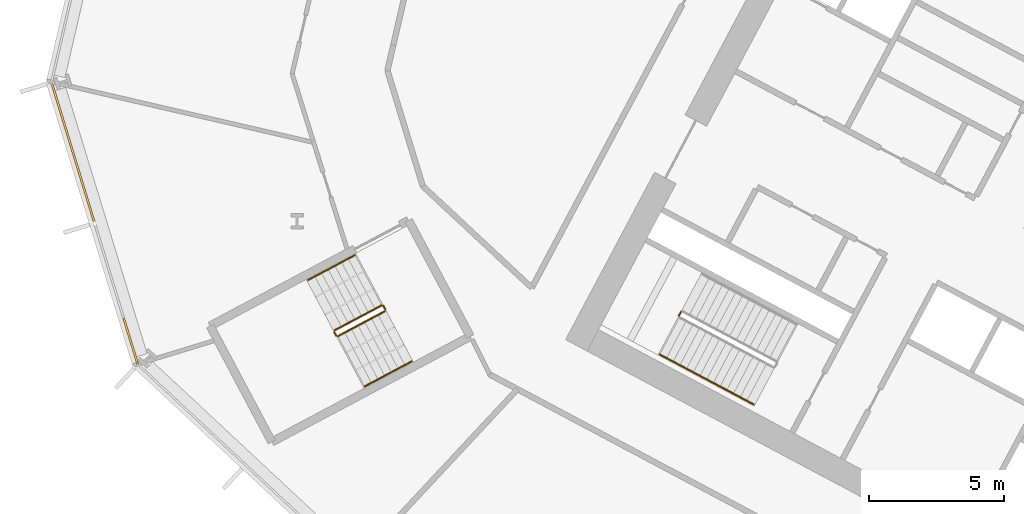
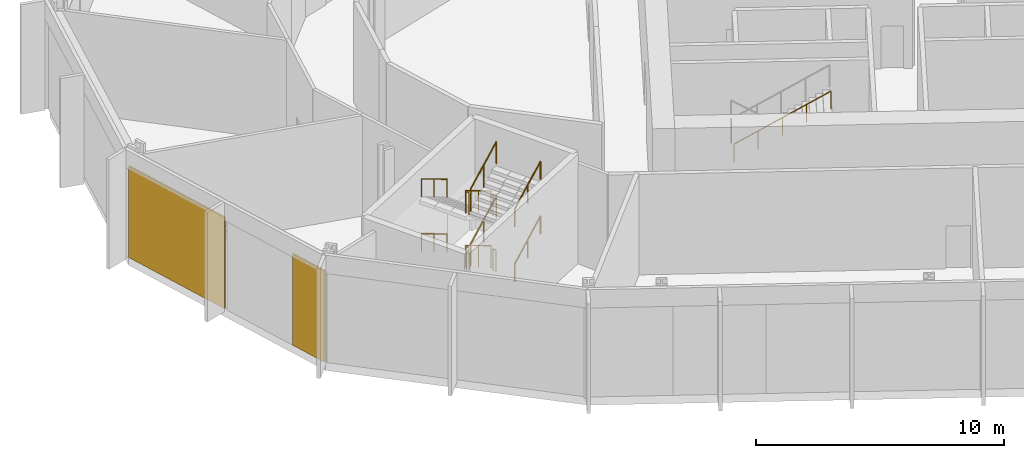
# One storey, part 21 of 30: 14 railings, 2 coverings, 1 element without a shape of its own.
"""IFC4 building model written with IfcOpenShell, lengths in metres."""

import ifcopenshell
import ifcopenshell.guid

model = None  # the IFC model being written
_history = None  # IfcOwnerHistory: only IFC2X3 demands one
_inside = {}  # id of a spatial element -> (the spatial element, [elements in it])
_under = {}  # id of a project, library or spatial element -> (it, [spatial elements below it])
_declared = {}  # id of a project -> (the project, [libraries it declares])
_typed = {}  # id of a type object -> (the type object, [elements of that type])
_made_of = {}  # id of a material, layer set ... -> (it, [elements and type objects made of it])


def new_model(schema):
    """Start an empty IFC model of exactly this schema.

    Asked for "IFC4X3", IfcOpenShell would pick the latest addendum, in which some entities
    have other attributes; the version numbers below select the first issue.
    IFC2X3 requires an IfcOwnerHistory on every rooted entity: one is made here for all.
    """
    global model, _history
    if schema == "IFC4X3":
        model = ifcopenshell.file(schema_version=(4, 3, 0, 0))
    else:
        model = ifcopenshell.file(schema=schema)
    _inside.clear()
    _under.clear()
    _declared.clear()
    _typed.clear()
    _made_of.clear()
    _history = None
    if model.schema == "IFC2X3":
        org = make("IfcOrganization", Name="unknown")
        user = make(
            "IfcPersonAndOrganization",
            ThePerson=make("IfcPerson", FamilyName="unknown"),
            TheOrganization=org,
        )
        app = make(
            "IfcApplication",
            ApplicationDeveloper=org,
            Version="unknown",
            ApplicationFullName="unknown",
            ApplicationIdentifier="unknown",
        )
        _history = make(
            "IfcOwnerHistory",
            OwningUser=user,
            OwningApplication=app,
            ChangeAction="ADDED",
            CreationDate=0,
        )
    return model


def make(cls, **values):
    """One entity of the class cls with the attributes given. An attribute that is None is left unset."""
    return model.create_entity(
        cls, **{name: value for name, value in values.items() if value is not None}
    )


def rooted(cls, **values):
    """An entity with a GlobalId (a new one), such as an element, a storey or a relation."""
    return make(cls, GlobalId=ifcopenshell.guid.new(), OwnerHistory=_history, **values)


def si_unit(unit_type, name, prefix=None):
    """IfcSIUnit, for example si_unit("LENGTHUNIT", "METRE", prefix="MILLI")."""
    return make("IfcSIUnit", UnitType=unit_type, Prefix=prefix, Name=name)


def assignment(units):
    """IfcUnitAssignment: the units of a project."""
    return None if units is None else make("IfcUnitAssignment", Units=units)


def point(xyz):
    """IfcCartesianPoint."""
    return None if xyz is None else make("IfcCartesianPoint", Coordinates=xyz)


def direction(xyz):
    """IfcDirection."""
    return None if xyz is None else make("IfcDirection", DirectionRatios=xyz)


def frame(location, z_axis=None, x_axis=None):
    """IfcAxis2Placement3D, a coordinate frame: its origin and axes. An axis left out is left unset."""
    return make(
        "IfcAxis2Placement3D",
        Location=point(location),
        Axis=direction(z_axis),
        RefDirection=direction(x_axis),
    )


def frame_2d(location, x_axis=None):
    """IfcAxis2Placement2D, a coordinate frame in the plane: its origin and x axis."""
    return make(
        "IfcAxis2Placement2D", Location=point(location), RefDirection=direction(x_axis)
    )


def origin():
    """The frame at (0, 0, 0) with its axes left unset."""
    return frame((0.0, 0.0, 0.0))


def origin_2d():
    """The frame at (0, 0) in the plane with its x axis left unset."""
    return frame_2d((0.0, 0.0))


def place(relative_to, where):
    """IfcLocalPlacement: puts the frame where relative to a parent placement (None: the world)."""
    return make(
        "IfcLocalPlacement", PlacementRelTo=relative_to, RelativePlacement=where
    )


def context(
    kind, dimensions, precision=None, world=None, true_north=None, identifier=None
):
    """IfcGeometricRepresentationContext, for example the 3D "Model" context."""
    return make(
        "IfcGeometricRepresentationContext",
        ContextIdentifier=identifier,
        ContextType=kind,
        CoordinateSpaceDimension=dimensions,
        Precision=precision,
        WorldCoordinateSystem=world,
        TrueNorth=true_north,
    )


def subcontext(parent, identifier, kind, view, scale=None):
    """IfcGeometricRepresentationSubContext, for example "Body" below "Model"."""
    return make(
        "IfcGeometricRepresentationSubContext",
        ContextIdentifier=identifier,
        ContextType=kind,
        ParentContext=parent,
        TargetScale=scale,
        TargetView=view,
    )


def project(units=None, contexts=None):
    """IfcProject with its units and contexts."""
    return rooted(
        "IfcProject",
        Name="project",
        RepresentationContexts=contexts,
        UnitsInContext=assignment(units),
    )


def spatial(cls, under=None, at=None, **own):
    """A site, building, storey or space (cls), placed at a placement, below another one or the project."""
    s = rooted(cls, ObjectPlacement=at, **own)
    if under is not None:
        _under.setdefault(under.id(), (under, []))[1].append(s)
    return s


def polyline(points):
    """IfcPolyline through the points."""
    return make("IfcPolyline", Points=[point(p) for p in points])


def profile(cls, at=None, kind="AREA", **sizes):
    """A parametric profile (cls). Its sizes go by their IFC names, for example OverallWidth=200.0."""
    return make(cls, ProfileType=kind, Position=at, **sizes)


def rectangle(**sizes):
    """IfcRectangleProfileDef."""
    return profile("IfcRectangleProfileDef", **sizes)


def outline(outer, holes=None, kind="AREA"):
    """IfcArbitraryClosedProfileDef: a profile drawn as a closed curve; with holes, ...WithVoids."""
    if holes is None:
        return make("IfcArbitraryClosedProfileDef", ProfileType=kind, OuterCurve=outer)
    return make(
        "IfcArbitraryProfileDefWithVoids",
        ProfileType=kind,
        OuterCurve=outer,
        InnerCurves=holes,
    )


def extrude(swept, where, along, depth):
    """IfcExtrudedAreaSolid: the profile swept, set in the frame where, extruded along a direction by depth."""
    return make(
        "IfcExtrudedAreaSolid",
        SweptArea=swept,
        Position=where,
        ExtrudedDirection=direction(along),
        Depth=depth,
    )


def shape(context_of_items, identifier, shape_type, items):
    """IfcShapeRepresentation: the items that make up one representation, for example the "Body"."""
    return make(
        "IfcShapeRepresentation",
        ContextOfItems=context_of_items,
        RepresentationIdentifier=identifier,
        RepresentationType=shape_type,
        Items=items,
    )


def material(Name=None, Category=None):
    """IfcMaterial."""
    return make("IfcMaterial", Name=Name, Category=Category)


def layer(
    of_material, thickness, ventilated=None, Name=None, Category=None, Priority=None
):
    """IfcMaterialLayer: one layer of a wall or slab, of a material (None: an air gap)."""
    return make(
        "IfcMaterialLayer",
        Material=of_material,
        LayerThickness=thickness,
        IsVentilated=ventilated,
        Name=Name,
        Category=Category,
        Priority=Priority,
    )


def layer_set(layers, Name=None):
    """IfcMaterialLayerSet."""
    return make("IfcMaterialLayerSet", MaterialLayers=layers, LayerSetName=Name)


def made_of(thing, what):
    """Note that an element or type object is made of a material, layer set ...; save() writes the relation."""
    if what is not None:
        _made_of.setdefault(what.id(), (what, []))[1].append(thing)
    return thing


def type_object(cls, material=None, **own):
    """A type object (cls), such as IfcWallType, which elements share."""
    return made_of(rooted(cls, **own), material)


def element(
    cls,
    number,
    at=None,
    inside=None,
    cuts=None,
    type_object=None,
    material=None,
    context=None,
    identifier="Body",
    shape_type=None,
    held_by="IfcProductDefinitionShape",
    body=None,
    shapes=None,
    **own,
):
    """One element of the class cls, such as IfcWall. Its Tag is "e" and its number.

    at: its placement. inside: the storey or other place that contains it. cuts: it is an
    opening in that element (IfcRelVoidsElement). A single representation is given by context,
    identifier, shape_type and body (its items); several are given by shapes. held_by: the class
    of the entity that holds the representations. save() writes the other relations.
    """
    e = rooted(cls, Tag="e%d" % number, ObjectPlacement=at, **own)
    if body is not None:
        shapes = [shape(context, identifier, shape_type, body)]
    if shapes is not None:
        e.Representation = make(held_by, Representations=shapes)
    if inside is not None:
        _inside.setdefault(inside.id(), (inside, []))[1].append(e)
    if cuts is not None:
        rooted(
            "IfcRelVoidsElement", RelatingBuildingElement=cuts, RelatedOpeningElement=e
        )
    if type_object is not None:
        _typed.setdefault(type_object.id(), (type_object, []))[1].append(e)
    return made_of(e, material)


def aggregate(whole, parts):
    """IfcRelAggregates: a whole, such as a stair, and the parts it consists of."""
    return rooted("IfcRelAggregates", RelatingObject=whole, RelatedObjects=parts)


def save(model, path):
    """Write the relations noted so far, then the file.

    IfcRelAggregates (storeys below a building ...), IfcRelContainedInSpatialStructure (elements
    in a storey), IfcRelDefinesByType, IfcRelAssociatesMaterial and IfcRelDeclares: one each for
    every whole, place, type object, material and project.
    """
    for whole, parts in _under.values():
        aggregate(whole, parts)
    for where, things in _inside.values():
        rooted(
            "IfcRelContainedInSpatialStructure",
            RelatedElements=things,
            RelatingStructure=where,
        )
    for kind, things in _typed.values():
        rooted("IfcRelDefinesByType", RelatedObjects=things, RelatingType=kind)
    for what, things in _made_of.values():
        rooted("IfcRelAssociatesMaterial", RelatedObjects=things, RelatingMaterial=what)
    for by, libraries in _declared.values():
        rooted("IfcRelDeclares", RelatingContext=by, RelatedDefinitions=libraries)
    model.write(path)


model = new_model("IFC4")

# Units and contexts
model_context = context("Model", 3, precision=1e-05, world=origin(), true_north=direction((0.0, 1.0)))
body_context = subcontext(model_context, "Body", "Model", "MODEL_VIEW")
ifc_project = project(units=[si_unit("LENGTHUNIT", "METRE"), si_unit("AREAUNIT", "SQUARE_METRE"), si_unit("VOLUMEUNIT", "CUBIC_METRE"), si_unit("PLANEANGLEUNIT", "RADIAN"), si_unit("MASSUNIT", "GRAM", prefix="KILO")], contexts=[model_context])

# Site, building, storey
site_placement = place(None, origin())
site = spatial("IfcSite", under=ifc_project, at=site_placement, CompositionType="ELEMENT")
building_placement = place(site_placement, origin())
building = spatial("IfcBuilding", under=site, at=building_placement, Name="Cormorant Relay Tower", CompositionType="ELEMENT")
storey_placement = place(building_placement, frame((0.0, 0.0, 44.60009765625)))
storey = spatial("IfcBuildingStorey", under=building, at=storey_placement, Name="L08", CompositionType="ELEMENT", Elevation=44.60009765625)

# Curtain wall, coverings
ifc_material_1 = material(Name="Aluminium 6063-T6 anodised bronze", Category="aluminium")
ifc_layer_1 = layer(ifc_material_1, 0.235107421875)
ifc_layer_set_1 = layer_set([ifc_layer_1], Name="CW6 data hall curtain wall with mineral wool panels")
curtain_wall_type = type_object("IfcCurtainWallType", Name="CW6 data hall curtain wall with mineral wool panels", PredefinedType="NOTDEFINED", material=ifc_layer_set_1)
curtain_wall_placement = place(storey_placement, origin())
curtain_wall = element("IfcCurtainWall", 1, at=curtain_wall_placement, inside=storey, type_object=curtain_wall_type, Name="CW6 curtain wall 12", PredefinedType="NOTDEFINED")
ifc_material_2 = material(Name="Mineral wool cored anodised bronze aluminium cassette panel", Category="aluminium")
ifc_layer_2 = layer(ifc_material_2, 0.074951171875)
ifc_layer_set_2 = layer_set([ifc_layer_2], Name="CW6 mineral wool cassette panel 75")
covering_type = type_object("IfcCoveringType", Name="CW6 mineral wool cassette panel 75", PredefinedType="CLADDING", material=ifc_layer_set_2)
covering_1_placement = place(storey_placement, frame((-59.961181640625, 17.783447265625, 0.0), z_axis=(0.0, 0.0, 1.0), x_axis=(0.292371704723, -0.956304755963, 0.0)))
covering_1 = element("IfcCovering", 2, at=covering_1_placement, type_object=covering_type, Name="CW6 panel S00", PredefinedType="CLADDING", context=body_context, shape_type="SweptSolid", body=[
    extrude(rectangle(XDim=5.28515625, YDim=0.074951171875, at=origin_2d()), origin(), (0.0, 0.0, 1.0), 4.5),
])
covering_2_placement = place(storey_placement, frame((-57.834716796875, 10.82861328125, 0.0), z_axis=(0.0, 0.0, 1.0), x_axis=(0.292371704723, -0.956304755963, 0.0)))
covering_2 = element("IfcCovering", 3, at=covering_2_placement, type_object=covering_type, Name="CW6 panel S02", PredefinedType="CLADDING", context=body_context, shape_type="SweptSolid", body=[
    extrude(rectangle(XDim=1.76025390625, YDim=0.074951171875, at=origin_2d()), origin(), (0.0, 0.0, 1.0), 4.5),
])
aggregate(curtain_wall, [covering_1, covering_2])

# Railings
ifc_material_3 = material(Name="Steel ASTM A572 Grade 50 (Fy 345 MPa)", Category="steel")
railing_type_1 = type_object("IfcRailingType", Name="Stair guard 1100", PredefinedType="GUARDRAIL", material=ifc_material_3)
railing_1_placement = place(storey_placement, frame((-37.52099609375, 11.908935546875, 2.699951171875)))
element("IfcRailing", 4, at=railing_1_placement, inside=storey, type_object=railing_type_1, Name="L08 A2 stair guard 2", PredefinedType="GUARDRAIL", context=body_context, shape_type="SweptSolid", body=[
    extrude(outline(polyline([(0.022216796875, 0.00927734375), (0.00927734375, 0.022216796875), (-0.00927734375, 0.022216796875), (-0.022216796875, 0.00927734375), (-0.022216796875, -0.00927734375), (-0.00927734375, -0.022216796875), (0.00927734375, -0.022216796875), (0.022216796875, -0.00927734375), (0.022216796875, 0.00927734375)])), frame((0.0, 0.0, 1.076171875), z_axis=(-0.469234640946, -0.883073525669, 0.0), x_axis=(0.883073525669, -0.469234640946, 0.0)), (0.0, 0.0, 1.0), 0.14990234375),
    extrude(outline(polyline([(0.019287109375, 0.008056640625), (0.008056640625, 0.019287109375), (-0.008056640625, 0.019287109375), (-0.019287109375, 0.008056640625), (-0.019287109375, -0.008056640625), (-0.008056640625, -0.019287109375), (0.008056640625, -0.019287109375), (0.019287109375, -0.008056640625), (0.019287109375, 0.008056640625)])), origin(), (0.0, 0.0, 1.0), 1.052001953125),
    extrude(outline(polyline([(0.019287109375, 0.008056640625), (0.008056640625, 0.019287109375), (-0.008056640625, 0.019287109375), (-0.019287109375, 0.008056640625), (-0.019287109375, -0.008056640625), (-0.008056640625, -0.019287109375), (0.008056640625, -0.019287109375), (0.019287109375, -0.008056640625), (0.019287109375, 0.008056640625)])), frame((-0.0703125, -0.13232421875, 0.0)), (0.0, 0.0, 1.0), 1.052001953125),
])
railing_2_placement = place(storey_placement, frame((-48.5693359375, 12.155517578125, 0.168701171875)))
element("IfcRailing", 5, at=railing_2_placement, inside=storey, type_object=railing_type_1, Name="L08 RP1 stair guard 1", PredefinedType="GUARDRAIL", context=body_context, shape_type="SweptSolid", body=[
    extrude(outline(polyline([(0.022216796875, 0.00927734375), (0.00927734375, 0.022216796875), (-0.00927734375, 0.022216796875), (-0.022216796875, 0.00927734375), (-0.022216796875, -0.00927734375), (-0.00927734375, -0.022216796875), (0.00927734375, -0.022216796875), (0.022216796875, -0.00927734375), (0.022216796875, 0.00927734375)])), frame((0.0, 0.0, 1.076171875), z_axis=(-0.756267991755, -0.402084082512, 0.516127034012), x_axis=(0.469443581604, -0.882962470149, 0.0)), (0.0, 0.0, 1.0), 2.28857421875),
    extrude(outline(polyline([(0.019287109375, 0.008056640625), (0.008056640625, 0.019287109375), (-0.008056640625, 0.019287109375), (-0.019287109375, 0.008056640625), (-0.019287109375, -0.008056640625), (-0.008056640625, -0.019287109375), (0.008056640625, -0.019287109375), (0.019287109375, -0.008056640625), (0.019287109375, 0.008056640625)])), origin(), (0.0, 0.0, 1.0), 1.052001953125),
    extrude(outline(polyline([(0.019287109375, 0.008056640625), (0.008056640625, 0.019287109375), (-0.008056640625, 0.019287109375), (-0.019287109375, 0.008056640625), (-0.019287109375, -0.008056640625), (-0.008056640625, -0.019287109375), (0.008056640625, -0.019287109375), (0.019287109375, -0.008056640625), (0.019287109375, 0.008056640625)])), frame((-0.865234375, -0.4599609375, 0.590576171875)), (0.0, 0.0, 1.0), 1.052001953125),
    extrude(outline(polyline([(0.019287109375, 0.008056640625), (0.008056640625, 0.019287109375), (-0.008056640625, 0.019287109375), (-0.019287109375, 0.008056640625), (-0.019287109375, -0.008056640625), (-0.008056640625, -0.019287109375), (0.008056640625, -0.019287109375), (0.019287109375, -0.008056640625), (0.019287109375, 0.008056640625)])), frame((-1.730712890625, -0.920166015625, 1.18115234375)), (0.0, 0.0, 1.0), 1.052001953125),
])
railing_3_placement = place(storey_placement, frame((-50.320556640625, 11.167724609375, 1.349853515625)))
element("IfcRailing", 6, at=railing_3_placement, inside=storey, type_object=railing_type_1, Name="L08 RP1 stair guard 2", PredefinedType="GUARDRAIL", context=body_context, shape_type="SweptSolid", body=[
    extrude(outline(polyline([(0.022216796875, 0.00927734375), (0.00927734375, 0.022216796875), (-0.00927734375, 0.022216796875), (-0.022216796875, 0.00927734375), (-0.022216796875, -0.00927734375), (-0.00927734375, -0.022216796875), (0.00927734375, -0.022216796875), (0.022216796875, -0.00927734375), (0.022216796875, 0.00927734375)])), frame((0.0, 0.0, 1.076171875), z_axis=(0.46856034887, -0.8834314911, 0.0), x_axis=(0.8834314911, 0.46856034887, 0.0)), (0.0, 0.0, 1.0), 0.150146484375),
    extrude(outline(polyline([(0.019287109375, 0.008056640625), (0.008056640625, 0.019287109375), (-0.008056640625, 0.019287109375), (-0.019287109375, 0.008056640625), (-0.019287109375, -0.008056640625), (-0.008056640625, -0.019287109375), (0.008056640625, -0.019287109375), (0.019287109375, -0.008056640625), (0.019287109375, 0.008056640625)])), origin(), (0.0, 0.0, 1.0), 1.052001953125),
    extrude(outline(polyline([(0.019287109375, 0.008056640625), (0.008056640625, 0.019287109375), (-0.008056640625, 0.019287109375), (-0.019287109375, 0.008056640625), (-0.019287109375, -0.008056640625), (-0.008056640625, -0.019287109375), (0.008056640625, -0.019287109375), (0.019287109375, -0.008056640625), (0.019287109375, 0.008056640625)])), frame((0.0703125, -0.132568359375, 0.0)), (0.0, 0.0, 1.0), 1.052001953125),
])
railing_4_placement = place(storey_placement, frame((-50.1826171875, 11.014404296875, 1.5185546875)))
element("IfcRailing", 7, at=railing_4_placement, inside=storey, type_object=railing_type_1, Name="L08 RP1 stair guard 3", PredefinedType="GUARDRAIL", context=body_context, shape_type="SweptSolid", body=[
    extrude(outline(polyline([(0.022216796875, 0.00927734375), (0.00927734375, 0.022216796875), (-0.00927734375, 0.022216796875), (-0.022216796875, 0.00927734375), (-0.022216796875, -0.00927734375), (-0.00927734375, -0.022216796875), (0.00927734375, -0.022216796875), (0.022216796875, -0.00927734375), (0.022216796875, 0.00927734375)])), frame((0.0, 0.0, 1.076171875), z_axis=(0.756226349707, 0.402061942735, 0.516205290765), x_axis=(-0.469443581604, 0.882962470149, 0.0)), (0.0, 0.0, 1.0), 2.28857421875),
    extrude(outline(polyline([(0.019287109375, 0.008056640625), (0.008056640625, 0.019287109375), (-0.008056640625, 0.019287109375), (-0.019287109375, 0.008056640625), (-0.019287109375, -0.008056640625), (-0.008056640625, -0.019287109375), (0.008056640625, -0.019287109375), (0.019287109375, -0.008056640625), (0.019287109375, 0.008056640625)])), origin(), (0.0, 0.0, 1.0), 1.052001953125),
    extrude(outline(polyline([(0.019287109375, 0.008056640625), (0.008056640625, 0.019287109375), (-0.008056640625, 0.019287109375), (-0.019287109375, 0.008056640625), (-0.019287109375, -0.008056640625), (-0.008056640625, -0.019287109375), (0.008056640625, -0.019287109375), (0.019287109375, -0.008056640625), (0.019287109375, 0.008056640625)])), frame((0.865234375, 0.4599609375, 0.5908203125)), (0.0, 0.0, 1.0), 1.052001953125),
    extrude(outline(polyline([(0.019287109375, 0.008056640625), (0.008056640625, 0.019287109375), (-0.008056640625, 0.019287109375), (-0.019287109375, 0.008056640625), (-0.019287109375, -0.008056640625), (-0.008056640625, -0.019287109375), (0.008056640625, -0.019287109375), (0.019287109375, -0.008056640625), (0.019287109375, 0.008056640625)])), frame((1.730712890625, 0.920166015625, 1.181396484375)), (0.0, 0.0, 1.0), 1.052001953125),
])
railing_5_placement = place(storey_placement, frame((-48.501708984375, 12.134765625, 2.699951171875)))
element("IfcRailing", 8, at=railing_5_placement, inside=storey, type_object=railing_type_1, Name="L08 RP1 stair guard 4", PredefinedType="GUARDRAIL", context=body_context, shape_type="SweptSolid", body=[
    extrude(outline(polyline([(0.022216796875, 0.00927734375), (0.00927734375, 0.022216796875), (-0.00927734375, 0.022216796875), (-0.022216796875, 0.00927734375), (-0.022216796875, -0.00927734375), (-0.00927734375, -0.022216796875), (0.00927734375, -0.022216796875), (0.022216796875, -0.00927734375), (0.022216796875, 0.00927734375)])), frame((0.0, 0.0, 1.076171875), z_axis=(0.46856034887, -0.8834314911, 0.0), x_axis=(0.8834314911, 0.46856034887, 0.0)), (0.0, 0.0, 1.0), 0.150146484375),
    extrude(outline(polyline([(0.019287109375, 0.008056640625), (0.008056640625, 0.019287109375), (-0.008056640625, 0.019287109375), (-0.019287109375, 0.008056640625), (-0.019287109375, -0.008056640625), (-0.008056640625, -0.019287109375), (0.008056640625, -0.019287109375), (0.019287109375, -0.008056640625), (0.019287109375, 0.008056640625)])), origin(), (0.0, 0.0, 1.0), 1.052001953125),
    extrude(outline(polyline([(0.019287109375, 0.008056640625), (0.008056640625, 0.019287109375), (-0.008056640625, 0.019287109375), (-0.019287109375, 0.008056640625), (-0.019287109375, -0.008056640625), (-0.008056640625, -0.019287109375), (0.008056640625, -0.019287109375), (0.019287109375, -0.008056640625), (0.019287109375, 0.008056640625)])), frame((0.0703125, -0.132568359375, 0.0)), (0.0, 0.0, 1.0), 1.052001953125),
])
railing_6_placement = place(storey_placement, frame((-48.5693359375, 12.155517578125, 2.86865234375)))
element("IfcRailing", 9, at=railing_6_placement, inside=storey, type_object=railing_type_1, Name="L08 RP1 stair guard 5", PredefinedType="GUARDRAIL", context=body_context, shape_type="SweptSolid", body=[
    extrude(outline(polyline([(0.022216796875, 0.00927734375), (0.00927734375, 0.022216796875), (-0.00927734375, 0.022216796875), (-0.022216796875, 0.00927734375), (-0.022216796875, -0.00927734375), (-0.00927734375, -0.022216796875), (0.00927734375, -0.022216796875), (0.022216796875, -0.00927734375), (0.022216796875, 0.00927734375)])), frame((0.0, 0.0, 1.076171875), z_axis=(-0.756267991755, -0.402084082512, 0.516127034012), x_axis=(0.469443581604, -0.882962470149, 0.0)), (0.0, 0.0, 1.0), 2.28857421875),
    extrude(outline(polyline([(0.019287109375, 0.008056640625), (0.008056640625, 0.019287109375), (-0.008056640625, 0.019287109375), (-0.019287109375, 0.008056640625), (-0.019287109375, -0.008056640625), (-0.008056640625, -0.019287109375), (0.008056640625, -0.019287109375), (0.019287109375, -0.008056640625), (0.019287109375, 0.008056640625)])), origin(), (0.0, 0.0, 1.0), 1.052001953125),
    extrude(outline(polyline([(0.019287109375, 0.008056640625), (0.008056640625, 0.019287109375), (-0.008056640625, 0.019287109375), (-0.019287109375, 0.008056640625), (-0.019287109375, -0.008056640625), (-0.008056640625, -0.019287109375), (0.008056640625, -0.019287109375), (0.019287109375, -0.008056640625), (0.019287109375, 0.008056640625)])), frame((-0.865234375, -0.4599609375, 0.590576171875)), (0.0, 0.0, 1.0), 1.052001953125),
    extrude(outline(polyline([(0.019287109375, 0.008056640625), (0.008056640625, 0.019287109375), (-0.008056640625, 0.019287109375), (-0.019287109375, 0.008056640625), (-0.019287109375, -0.008056640625), (-0.008056640625, -0.019287109375), (0.008056640625, -0.019287109375), (0.019287109375, -0.008056640625), (0.019287109375, 0.008056640625)])), frame((-1.730712890625, -0.920166015625, 1.18115234375)), (0.0, 0.0, 1.0), 1.052001953125),
])
railing_7_placement = place(storey_placement, frame((-50.320556640625, 11.167724609375, 4.0498046875)))
element("IfcRailing", 10, at=railing_7_placement, inside=storey, type_object=railing_type_1, Name="L08 RP1 stair guard 6", PredefinedType="GUARDRAIL", context=body_context, shape_type="SweptSolid", body=[
    extrude(outline(polyline([(0.022216796875, 0.00927734375), (0.00927734375, 0.022216796875), (-0.00927734375, 0.022216796875), (-0.022216796875, 0.00927734375), (-0.022216796875, -0.00927734375), (-0.00927734375, -0.022216796875), (0.00927734375, -0.022216796875), (0.022216796875, -0.00927734375), (0.022216796875, 0.00927734375)])), frame((0.0, 0.0, 1.076171875), z_axis=(0.46856034887, -0.8834314911, 0.0), x_axis=(0.8834314911, 0.46856034887, 0.0)), (0.0, 0.0, 1.0), 0.150146484375),
    extrude(outline(polyline([(0.019287109375, 0.008056640625), (0.008056640625, 0.019287109375), (-0.008056640625, 0.019287109375), (-0.019287109375, 0.008056640625), (-0.019287109375, -0.008056640625), (-0.008056640625, -0.019287109375), (0.008056640625, -0.019287109375), (0.019287109375, -0.008056640625), (0.019287109375, 0.008056640625)])), origin(), (0.0, 0.0, 1.0), 1.052001953125),
    extrude(outline(polyline([(0.019287109375, 0.008056640625), (0.008056640625, 0.019287109375), (-0.008056640625, 0.019287109375), (-0.019287109375, 0.008056640625), (-0.019287109375, -0.008056640625), (-0.008056640625, -0.019287109375), (0.008056640625, -0.019287109375), (0.019287109375, -0.008056640625), (0.019287109375, 0.008056640625)])), frame((0.0703125, -0.132568359375, 0.0)), (0.0, 0.0, 1.0), 1.052001953125),
])
railing_8_placement = place(storey_placement, frame((-50.1826171875, 11.014404296875, 4.21875)))
element("IfcRailing", 11, at=railing_8_placement, inside=storey, type_object=railing_type_1, Name="L08 RP1 stair guard 7", PredefinedType="GUARDRAIL", context=body_context, shape_type="SweptSolid", body=[
    extrude(outline(polyline([(0.022216796875, 0.00927734375), (0.00927734375, 0.022216796875), (-0.00927734375, 0.022216796875), (-0.022216796875, 0.00927734375), (-0.022216796875, -0.00927734375), (-0.00927734375, -0.022216796875), (0.00927734375, -0.022216796875), (0.022216796875, -0.00927734375), (0.022216796875, 0.00927734375)])), frame((0.0, 0.0, 1.076171875), z_axis=(0.756267991755, 0.402084082512, 0.516127034012), x_axis=(-0.469443581604, 0.882962470149, 0.0)), (0.0, 0.0, 1.0), 2.28857421875),
    extrude(outline(polyline([(0.019287109375, 0.008056640625), (0.008056640625, 0.019287109375), (-0.008056640625, 0.019287109375), (-0.019287109375, 0.008056640625), (-0.019287109375, -0.008056640625), (-0.008056640625, -0.019287109375), (0.008056640625, -0.019287109375), (0.019287109375, -0.008056640625), (0.019287109375, 0.008056640625)])), origin(), (0.0, 0.0, 1.0), 1.052001953125),
    extrude(outline(polyline([(0.019287109375, 0.008056640625), (0.008056640625, 0.019287109375), (-0.008056640625, 0.019287109375), (-0.019287109375, 0.008056640625), (-0.019287109375, -0.008056640625), (-0.008056640625, -0.019287109375), (0.008056640625, -0.019287109375), (0.019287109375, -0.008056640625), (0.019287109375, 0.008056640625)])), frame((0.865234375, 0.4599609375, 0.590576171875)), (0.0, 0.0, 1.0), 1.052001953125),
    extrude(outline(polyline([(0.019287109375, 0.008056640625), (0.008056640625, 0.019287109375), (-0.008056640625, 0.019287109375), (-0.019287109375, 0.008056640625), (-0.019287109375, -0.008056640625), (-0.008056640625, -0.019287109375), (0.008056640625, -0.019287109375), (0.019287109375, -0.008056640625), (0.019287109375, 0.008056640625)])), frame((1.730712890625, 0.920166015625, 1.18115234375)), (0.0, 0.0, 1.0), 1.052001953125),
])
railing_9_placement = place(storey_placement, frame((-48.501708984375, 12.134765625, 0.0)))
element("IfcRailing", 12, at=railing_9_placement, inside=storey, type_object=railing_type_1, Name="L08 RP1 stair guard 8", PredefinedType="GUARDRAIL", context=body_context, shape_type="SweptSolid", body=[
    extrude(outline(polyline([(0.022216796875, 0.00927734375), (0.00927734375, 0.022216796875), (-0.00927734375, 0.022216796875), (-0.022216796875, 0.00927734375), (-0.022216796875, -0.00927734375), (-0.00927734375, -0.022216796875), (0.00927734375, -0.022216796875), (0.022216796875, -0.00927734375), (0.022216796875, 0.00927734375)])), frame((0.0, 0.0, 1.076171875), z_axis=(0.46856034887, -0.8834314911, 0.0), x_axis=(0.8834314911, 0.46856034887, 0.0)), (0.0, 0.0, 1.0), 0.150146484375),
    extrude(outline(polyline([(0.019287109375, 0.008056640625), (0.008056640625, 0.019287109375), (-0.008056640625, 0.019287109375), (-0.019287109375, 0.008056640625), (-0.019287109375, -0.008056640625), (-0.008056640625, -0.019287109375), (0.008056640625, -0.019287109375), (0.019287109375, -0.008056640625), (0.019287109375, 0.008056640625)])), origin(), (0.0, 0.0, 1.0), 1.052001953125),
    extrude(outline(polyline([(0.019287109375, 0.008056640625), (0.008056640625, 0.019287109375), (-0.008056640625, 0.019287109375), (-0.019287109375, 0.008056640625), (-0.019287109375, -0.008056640625), (-0.008056640625, -0.019287109375), (0.008056640625, -0.019287109375), (0.019287109375, -0.008056640625), (0.019287109375, 0.008056640625)])), frame((0.0703125, -0.132568359375, 0.0)), (0.0, 0.0, 1.0), 1.052001953125),
])
ifc_material_4 = material(Name="Steel ASTM A572 Grade 50 (Fy 345 MPa)", Category="steel")
railing_type_2 = type_object("IfcRailingType", Name="Stair handrail 900", PredefinedType="HANDRAIL", material=ifc_material_4)
railing_10_placement = place(storey_placement, frame((-38.29833984375, 10.34033203125, 2.8798828125)))
element("IfcRailing", 13, at=railing_10_placement, inside=storey, type_object=railing_type_2, Name="L08 A2 stair handrail 2", PredefinedType="HANDRAIL", context=body_context, shape_type="SweptSolid", body=[
    extrude(outline(polyline([(0.022216796875, 0.00927734375), (0.00927734375, 0.022216796875), (-0.00927734375, 0.022216796875), (-0.022216796875, 0.00927734375), (-0.022216796875, -0.00927734375), (-0.00927734375, -0.022216796875), (0.00927734375, -0.022216796875), (0.022216796875, -0.00927734375), (0.022216796875, 0.00927734375)])), frame((0.0, 0.0, 0.8759765625), z_axis=(0.74271721126, -0.394907409077, 0.540758062681), x_axis=(0.469469396681, 0.882948744594, 0.0)), (0.0, 0.0, 1.0), 4.66015625),
    extrude(outline(polyline([(0.019287109375, 0.008056640625), (0.008056640625, 0.019287109375), (-0.008056640625, 0.019287109375), (-0.019287109375, 0.008056640625), (-0.019287109375, -0.008056640625), (-0.008056640625, -0.019287109375), (0.008056640625, -0.019287109375), (0.019287109375, -0.008056640625), (0.019287109375, 0.008056640625)])), origin(), (0.0, 0.0, 1.0), 0.851806640625),
    extrude(outline(polyline([(0.019287109375, 0.008056640625), (0.008056640625, 0.019287109375), (-0.008056640625, 0.019287109375), (-0.019287109375, 0.008056640625), (-0.019287109375, -0.008056640625), (-0.008056640625, -0.019287109375), (0.008056640625, -0.019287109375), (0.019287109375, -0.008056640625), (0.019287109375, 0.008056640625)])), frame((0.865234375, -0.4599609375, 0.6298828125)), (0.0, 0.0, 1.0), 0.851806640625),
    extrude(outline(polyline([(0.019287109375, 0.008056640625), (0.008056640625, 0.019287109375), (-0.008056640625, 0.019287109375), (-0.019287109375, 0.008056640625), (-0.019287109375, -0.008056640625), (-0.008056640625, -0.019287109375), (0.008056640625, -0.019287109375), (0.019287109375, -0.008056640625), (0.019287109375, 0.008056640625)])), frame((1.73046875, -0.920166015625, 1.260009765625)), (0.0, 0.0, 1.0), 0.851806640625),
    extrude(outline(polyline([(0.019287109375, 0.008056640625), (0.008056640625, 0.019287109375), (-0.008056640625, 0.019287109375), (-0.019287109375, 0.008056640625), (-0.019287109375, -0.008056640625), (-0.008056640625, -0.019287109375), (0.008056640625, -0.019287109375), (0.019287109375, -0.008056640625), (0.019287109375, 0.008056640625)])), frame((2.595947265625, -1.38037109375, 1.89013671875)), (0.0, 0.0, 1.0), 0.851806640625),
    extrude(outline(polyline([(0.019287109375, 0.008056640625), (0.008056640625, 0.019287109375), (-0.008056640625, 0.019287109375), (-0.019287109375, 0.008056640625), (-0.019287109375, -0.008056640625), (-0.008056640625, -0.019287109375), (0.008056640625, -0.019287109375), (0.019287109375, -0.008056640625), (0.019287109375, 0.008056640625)])), frame((3.461181640625, -1.84033203125, 2.52001953125)), (0.0, 0.0, 1.0), 0.851806640625),
])
railing_11_placement = place(storey_placement, frame((-49.55517578125, 14.009521484375, 0.168701171875)))
element("IfcRailing", 14, at=railing_11_placement, inside=storey, type_object=railing_type_2, Name="L08 RP1 stair handrail 1", PredefinedType="HANDRAIL", context=body_context, shape_type="SweptSolid", body=[
    extrude(outline(polyline([(0.022216796875, 0.00927734375), (0.00927734375, 0.022216796875), (-0.00927734375, 0.022216796875), (-0.022216796875, 0.00927734375), (-0.022216796875, -0.00927734375), (-0.00927734375, -0.022216796875), (0.00927734375, -0.022216796875), (0.022216796875, -0.00927734375), (0.022216796875, 0.00927734375)])), frame((0.0, 0.0, 0.8759765625), z_axis=(-0.756267991755, -0.402084082512, 0.516127034012), x_axis=(0.469443581604, -0.882962470149, 0.0)), (0.0, 0.0, 1.0), 2.28857421875),
    extrude(outline(polyline([(0.019287109375, 0.008056640625), (0.008056640625, 0.019287109375), (-0.008056640625, 0.019287109375), (-0.019287109375, 0.008056640625), (-0.019287109375, -0.008056640625), (-0.008056640625, -0.019287109375), (0.008056640625, -0.019287109375), (0.019287109375, -0.008056640625), (0.019287109375, 0.008056640625)])), origin(), (0.0, 0.0, 1.0), 0.851806640625),
    extrude(outline(polyline([(0.019287109375, 0.008056640625), (0.008056640625, 0.019287109375), (-0.008056640625, 0.019287109375), (-0.019287109375, 0.008056640625), (-0.019287109375, -0.008056640625), (-0.008056640625, -0.019287109375), (0.008056640625, -0.019287109375), (0.019287109375, -0.008056640625), (0.019287109375, 0.008056640625)])), frame((-0.865234375, -0.4599609375, 0.590576171875)), (0.0, 0.0, 1.0), 0.851806640625),
    extrude(outline(polyline([(0.019287109375, 0.008056640625), (0.008056640625, 0.019287109375), (-0.008056640625, 0.019287109375), (-0.019287109375, 0.008056640625), (-0.019287109375, -0.008056640625), (-0.008056640625, -0.019287109375), (0.008056640625, -0.019287109375), (0.019287109375, -0.008056640625), (0.019287109375, 0.008056640625)])), frame((-1.730712890625, -0.920166015625, 1.18115234375)), (0.0, 0.0, 1.0), 0.851806640625),
])
railing_12_placement = place(storey_placement, frame((-49.19677734375, 9.160400390625, 1.5185546875)))
element("IfcRailing", 15, at=railing_12_placement, inside=storey, type_object=railing_type_2, Name="L08 RP1 stair handrail 2", PredefinedType="HANDRAIL", context=body_context, shape_type="SweptSolid", body=[
    extrude(outline(polyline([(0.022216796875, 0.00927734375), (0.00927734375, 0.022216796875), (-0.00927734375, 0.022216796875), (-0.022216796875, 0.00927734375), (-0.022216796875, -0.00927734375), (-0.00927734375, -0.022216796875), (0.00927734375, -0.022216796875), (0.022216796875, -0.00927734375), (0.022216796875, 0.00927734375)])), frame((0.0, 0.0, 0.8759765625), z_axis=(0.756226349707, 0.402061942735, 0.516205290765), x_axis=(-0.469443581604, 0.882962470149, 0.0)), (0.0, 0.0, 1.0), 2.28857421875),
    extrude(outline(polyline([(0.019287109375, 0.008056640625), (0.008056640625, 0.019287109375), (-0.008056640625, 0.019287109375), (-0.019287109375, 0.008056640625), (-0.019287109375, -0.008056640625), (-0.008056640625, -0.019287109375), (0.008056640625, -0.019287109375), (0.019287109375, -0.008056640625), (0.019287109375, 0.008056640625)])), origin(), (0.0, 0.0, 1.0), 0.851806640625),
    extrude(outline(polyline([(0.019287109375, 0.008056640625), (0.008056640625, 0.019287109375), (-0.008056640625, 0.019287109375), (-0.019287109375, 0.008056640625), (-0.019287109375, -0.008056640625), (-0.008056640625, -0.019287109375), (0.008056640625, -0.019287109375), (0.019287109375, -0.008056640625), (0.019287109375, 0.008056640625)])), frame((0.865234375, 0.4599609375, 0.5908203125)), (0.0, 0.0, 1.0), 0.851806640625),
    extrude(outline(polyline([(0.019287109375, 0.008056640625), (0.008056640625, 0.019287109375), (-0.008056640625, 0.019287109375), (-0.019287109375, 0.008056640625), (-0.019287109375, -0.008056640625), (-0.008056640625, -0.019287109375), (0.008056640625, -0.019287109375), (0.019287109375, -0.008056640625), (0.019287109375, 0.008056640625)])), frame((1.730712890625, 0.920166015625, 1.181396484375)), (0.0, 0.0, 1.0), 0.851806640625),
])
railing_13_placement = place(storey_placement, frame((-49.55517578125, 14.009521484375, 2.86865234375)))
element("IfcRailing", 16, at=railing_13_placement, inside=storey, type_object=railing_type_2, Name="L08 RP1 stair handrail 3", PredefinedType="HANDRAIL", context=body_context, shape_type="SweptSolid", body=[
    extrude(outline(polyline([(0.022216796875, 0.00927734375), (0.00927734375, 0.022216796875), (-0.00927734375, 0.022216796875), (-0.022216796875, 0.00927734375), (-0.022216796875, -0.00927734375), (-0.00927734375, -0.022216796875), (0.00927734375, -0.022216796875), (0.022216796875, -0.00927734375), (0.022216796875, 0.00927734375)])), frame((0.0, 0.0, 0.8759765625), z_axis=(-0.756267991755, -0.402084082512, 0.516127034012), x_axis=(0.469443581604, -0.882962470149, 0.0)), (0.0, 0.0, 1.0), 2.28857421875),
    extrude(outline(polyline([(0.019287109375, 0.008056640625), (0.008056640625, 0.019287109375), (-0.008056640625, 0.019287109375), (-0.019287109375, 0.008056640625), (-0.019287109375, -0.008056640625), (-0.008056640625, -0.019287109375), (0.008056640625, -0.019287109375), (0.019287109375, -0.008056640625), (0.019287109375, 0.008056640625)])), origin(), (0.0, 0.0, 1.0), 0.851806640625),
    extrude(outline(polyline([(0.019287109375, 0.008056640625), (0.008056640625, 0.019287109375), (-0.008056640625, 0.019287109375), (-0.019287109375, 0.008056640625), (-0.019287109375, -0.008056640625), (-0.008056640625, -0.019287109375), (0.008056640625, -0.019287109375), (0.019287109375, -0.008056640625), (0.019287109375, 0.008056640625)])), frame((-0.865234375, -0.4599609375, 0.590576171875)), (0.0, 0.0, 1.0), 0.851806640625),
    extrude(outline(polyline([(0.019287109375, 0.008056640625), (0.008056640625, 0.019287109375), (-0.008056640625, 0.019287109375), (-0.019287109375, 0.008056640625), (-0.019287109375, -0.008056640625), (-0.008056640625, -0.019287109375), (0.008056640625, -0.019287109375), (0.019287109375, -0.008056640625), (0.019287109375, 0.008056640625)])), frame((-1.730712890625, -0.920166015625, 1.18115234375)), (0.0, 0.0, 1.0), 0.851806640625),
])
railing_14_placement = place(storey_placement, frame((-49.19677734375, 9.160400390625, 4.21875)))
element("IfcRailing", 17, at=railing_14_placement, inside=storey, type_object=railing_type_2, Name="L08 RP1 stair handrail 4", PredefinedType="HANDRAIL", context=body_context, shape_type="SweptSolid", body=[
    extrude(outline(polyline([(0.022216796875, 0.00927734375), (0.00927734375, 0.022216796875), (-0.00927734375, 0.022216796875), (-0.022216796875, 0.00927734375), (-0.022216796875, -0.00927734375), (-0.00927734375, -0.022216796875), (0.00927734375, -0.022216796875), (0.022216796875, -0.00927734375), (0.022216796875, 0.00927734375)])), frame((0.0, 0.0, 0.8759765625), z_axis=(0.756267991755, 0.402084082512, 0.516127034012), x_axis=(-0.469443581604, 0.882962470149, 0.0)), (0.0, 0.0, 1.0), 2.28857421875),
    extrude(outline(polyline([(0.019287109375, 0.008056640625), (0.008056640625, 0.019287109375), (-0.008056640625, 0.019287109375), (-0.019287109375, 0.008056640625), (-0.019287109375, -0.008056640625), (-0.008056640625, -0.019287109375), (0.008056640625, -0.019287109375), (0.019287109375, -0.008056640625), (0.019287109375, 0.008056640625)])), origin(), (0.0, 0.0, 1.0), 0.851806640625),
    extrude(outline(polyline([(0.019287109375, 0.008056640625), (0.008056640625, 0.019287109375), (-0.008056640625, 0.019287109375), (-0.019287109375, 0.008056640625), (-0.019287109375, -0.008056640625), (-0.008056640625, -0.019287109375), (0.008056640625, -0.019287109375), (0.019287109375, -0.008056640625), (0.019287109375, 0.008056640625)])), frame((0.865234375, 0.4599609375, 0.590576171875)), (0.0, 0.0, 1.0), 0.851806640625),
    extrude(outline(polyline([(0.019287109375, 0.008056640625), (0.008056640625, 0.019287109375), (-0.008056640625, 0.019287109375), (-0.019287109375, 0.008056640625), (-0.019287109375, -0.008056640625), (-0.008056640625, -0.019287109375), (0.008056640625, -0.019287109375), (0.019287109375, -0.008056640625), (0.019287109375, 0.008056640625)])), frame((1.730712890625, 0.920166015625, 1.18115234375)), (0.0, 0.0, 1.0), 0.851806640625),
])

save(model, "model.ifc")
